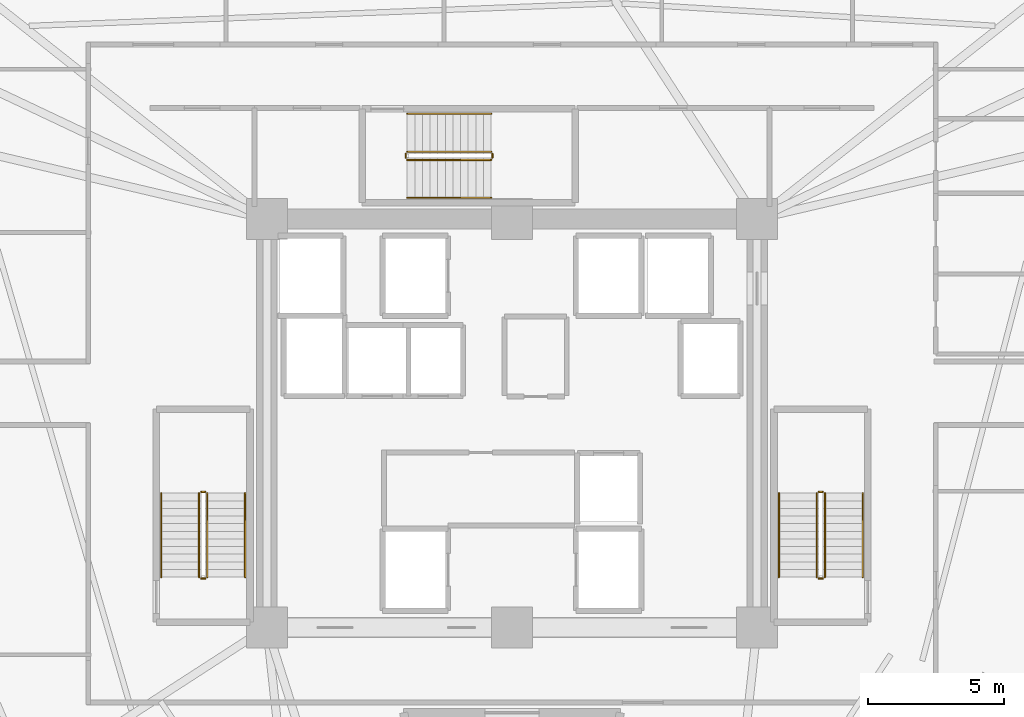
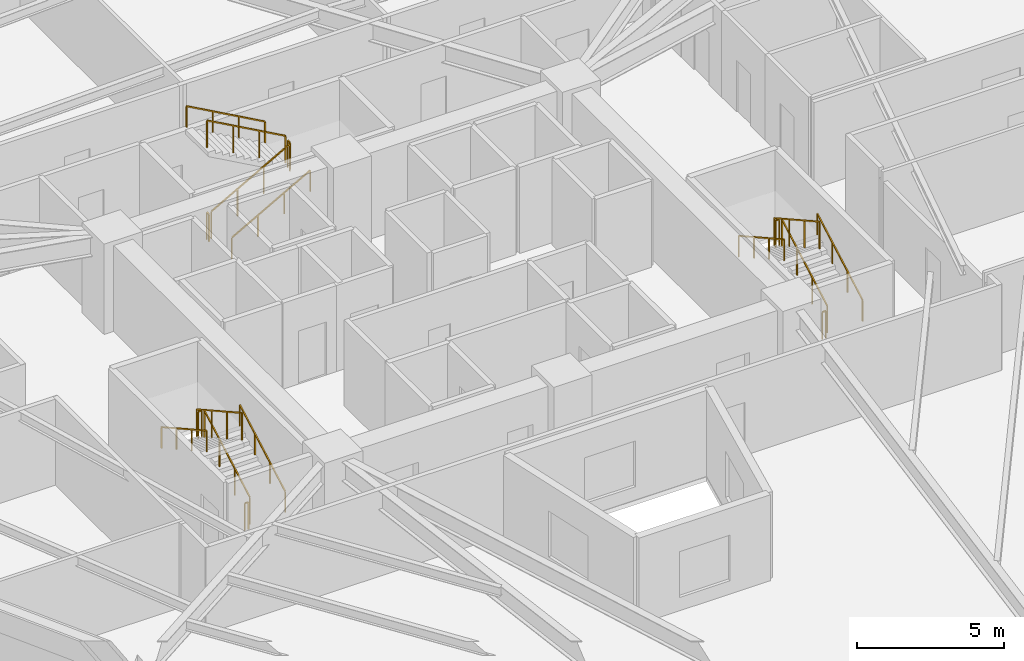
# One storey, part 8 of 8: 18 railings.
"""IFC4 building model written with IfcOpenShell, lengths in metres."""

from ifc_helpers import new_model, si_unit, direction, frame, origin, origin_2d, place, context, subcontext, project, spatial, rectangle, extrude, material, type_object, element, save


model = new_model("IFC4")

# Units and contexts
model_context = context("Model", 3, precision=1e-05, world=origin(), true_north=direction((0.0, 1.0)))
body_context = subcontext(model_context, "Body", "Model", "MODEL_VIEW")
ifc_project = project(units=[si_unit("LENGTHUNIT", "METRE"), si_unit("AREAUNIT", "SQUARE_METRE"), si_unit("VOLUMEUNIT", "CUBIC_METRE"), si_unit("PLANEANGLEUNIT", "RADIAN"), si_unit("MASSUNIT", "GRAM", prefix="KILO")], contexts=[model_context])

# Site, building, storey
site_placement = place(None, origin())
site = spatial("IfcSite", under=ifc_project, at=site_placement, CompositionType="ELEMENT")
building_placement = place(site_placement, origin())
building = spatial("IfcBuilding", under=site, at=building_placement, Name="Liaohun Quay Tower", CompositionType="ELEMENT")
storey_placement = place(building_placement, frame((0.0, 0.0, 159.0)))
storey = spatial("IfcBuildingStorey", under=building, at=storey_placement, Name="L41", CompositionType="ELEMENT", Elevation=159.0)

# Railings
ifc_material_1 = material(Name="Painted tubular steel", Category="steel")
railing_type_1 = type_object("IfcRailingType", Name="RLG-GUARD-STR", PredefinedType="GUARDRAIL", material=ifc_material_1)
railing_1_placement = place(storey_placement, frame((48.81005859375, 48.35009765625, 0.15625)))
element("IfcRailing", 1, at=railing_1_placement, inside=storey, type_object=railing_type_1, Name="L41 ST-1 stair guard 1", PredefinedType="GUARDRAIL", context=body_context, shape_type="SweptSolid", body=[
    extrude(rectangle(XDim=0.048095703125, YDim=0.048095703125, at=origin_2d()), frame((0.0, 0.0, 1.1259765625), z_axis=(0.0, 0.873225103656, 0.487317061414), x_axis=(-1.0, 0.0, 0.0)), (0.0, 0.0, 1.0), 3.52685546875),
    extrude(rectangle(XDim=0.0419921875, YDim=0.0419921875, at=origin_2d()), origin(), (0.0, 0.0, 1.0), 1.101806640625),
    extrude(rectangle(XDim=0.0419921875, YDim=0.0419921875, at=origin_2d()), frame((0.0, 1.026611328125, 0.572998046875)), (0.0, 0.0, 1.0), 1.101806640625),
    extrude(rectangle(XDim=0.0419921875, YDim=0.0419921875, at=origin_2d()), frame((0.0, 2.05322265625, 1.145751953125)), (0.0, 0.0, 1.0), 1.101806640625),
    extrude(rectangle(XDim=0.0419921875, YDim=0.0419921875, at=origin_2d()), frame((0.0, 3.079833984375, 1.71875)), (0.0, 0.0, 1.0), 1.101806640625),
])
railing_2_placement = place(storey_placement, frame((48.72998046875, 51.47998046875, 1.875)))
element("IfcRailing", 2, at=railing_2_placement, inside=storey, type_object=railing_type_1, Name="L41 ST-1 stair guard 2", PredefinedType="GUARDRAIL", context=body_context, shape_type="SweptSolid", body=[
    extrude(rectangle(XDim=0.048095703125, YDim=0.048095703125, at=origin_2d()), frame((0.0, 0.0, 1.1259765625), z_axis=(-1.0, 0.0, 0.0), x_axis=(0.0, -1.0, 0.0)), (0.0, 0.0, 1.0), 0.139892578125),
    extrude(rectangle(XDim=0.0419921875, YDim=0.0419921875, at=origin_2d()), origin(), (0.0, 0.0, 1.0), 1.101806640625),
    extrude(rectangle(XDim=0.0419921875, YDim=0.0419921875, at=origin_2d()), frame((-0.139892578125, 0.0, 0.0)), (0.0, 0.0, 1.0), 1.101806640625),
])
railing_3_placement = place(storey_placement, frame((48.510009765625, 51.429931640625, 2.03125)))
element("IfcRailing", 3, at=railing_3_placement, inside=storey, type_object=railing_type_1, Name="L41 ST-1 stair guard 3", PredefinedType="GUARDRAIL", context=body_context, shape_type="SweptSolid", body=[
    extrude(rectangle(XDim=0.048095703125, YDim=0.048095703125, at=origin_2d()), frame((0.0, 0.0, 1.1259765625), z_axis=(0.0, -0.873225103656, 0.487317061414), x_axis=(1.0, 0.0, 0.0)), (0.0, 0.0, 1.0), 3.52685546875),
    extrude(rectangle(XDim=0.0419921875, YDim=0.0419921875, at=origin_2d()), origin(), (0.0, 0.0, 1.0), 1.101806640625),
    extrude(rectangle(XDim=0.0419921875, YDim=0.0419921875, at=origin_2d()), frame((0.0, -1.026611328125, 0.572998046875)), (0.0, 0.0, 1.0), 1.101806640625),
    extrude(rectangle(XDim=0.0419921875, YDim=0.0419921875, at=origin_2d()), frame((0.0, -2.05322265625, 1.145751953125)), (0.0, 0.0, 1.0), 1.101806640625),
    extrude(rectangle(XDim=0.0419921875, YDim=0.0419921875, at=origin_2d()), frame((0.0, -3.079833984375, 1.71875)), (0.0, 0.0, 1.0), 1.101806640625),
])
railing_4_placement = place(storey_placement, frame((48.72998046875, 48.300048828125, 0.0)))
element("IfcRailing", 4, at=railing_4_placement, inside=storey, type_object=railing_type_1, Name="L41 ST-1 stair guard 4", PredefinedType="GUARDRAIL", context=body_context, shape_type="SweptSolid", body=[
    extrude(rectangle(XDim=0.048095703125, YDim=0.048095703125, at=origin_2d()), frame((0.0, 0.0, 1.1259765625), z_axis=(-1.0, 0.0, 0.0), x_axis=(0.0, -1.0, 0.0)), (0.0, 0.0, 1.0), 0.139892578125),
    extrude(rectangle(XDim=0.0419921875, YDim=0.0419921875, at=origin_2d()), origin(), (0.0, 0.0, 1.0), 1.101806640625),
    extrude(rectangle(XDim=0.0419921875, YDim=0.0419921875, at=origin_2d()), frame((-0.139892578125, 0.0, 0.0)), (0.0, 0.0, 1.0), 1.101806640625),
])
railing_5_placement = place(storey_placement, frame((71.489990234375, 48.35009765625, 0.15625)))
element("IfcRailing", 5, at=railing_5_placement, inside=storey, type_object=railing_type_1, Name="L41 ST-2 stair guard 1", PredefinedType="GUARDRAIL", context=body_context, shape_type="SweptSolid", body=[
    extrude(rectangle(XDim=0.048095703125, YDim=0.048095703125, at=origin_2d()), frame((0.0, 0.0, 1.1259765625), z_axis=(0.0, 0.873225103656, 0.487317061414), x_axis=(-1.0, 0.0, 0.0)), (0.0, 0.0, 1.0), 3.52685546875),
    extrude(rectangle(XDim=0.0419921875, YDim=0.0419921875, at=origin_2d()), origin(), (0.0, 0.0, 1.0), 1.101806640625),
    extrude(rectangle(XDim=0.0419921875, YDim=0.0419921875, at=origin_2d()), frame((0.0, 1.026611328125, 0.572998046875)), (0.0, 0.0, 1.0), 1.101806640625),
    extrude(rectangle(XDim=0.0419921875, YDim=0.0419921875, at=origin_2d()), frame((0.0, 2.05322265625, 1.145751953125)), (0.0, 0.0, 1.0), 1.101806640625),
    extrude(rectangle(XDim=0.0419921875, YDim=0.0419921875, at=origin_2d()), frame((0.0, 3.079833984375, 1.71875)), (0.0, 0.0, 1.0), 1.101806640625),
])
railing_6_placement = place(storey_placement, frame((71.409912109375, 51.47998046875, 1.875)))
element("IfcRailing", 6, at=railing_6_placement, inside=storey, type_object=railing_type_1, Name="L41 ST-2 stair guard 2", PredefinedType="GUARDRAIL", context=body_context, shape_type="SweptSolid", body=[
    extrude(rectangle(XDim=0.048095703125, YDim=0.048095703125, at=origin_2d()), frame((0.0, 0.0, 1.1259765625), z_axis=(-1.0, 0.0, 0.0), x_axis=(0.0, -1.0, 0.0)), (0.0, 0.0, 1.0), 0.139892578125),
    extrude(rectangle(XDim=0.0419921875, YDim=0.0419921875, at=origin_2d()), origin(), (0.0, 0.0, 1.0), 1.101806640625),
    extrude(rectangle(XDim=0.0419921875, YDim=0.0419921875, at=origin_2d()), frame((-0.139892578125, 0.0, 0.0)), (0.0, 0.0, 1.0), 1.101806640625),
])
railing_7_placement = place(storey_placement, frame((71.18994140625, 51.429931640625, 2.03125)))
element("IfcRailing", 7, at=railing_7_placement, inside=storey, type_object=railing_type_1, Name="L41 ST-2 stair guard 3", PredefinedType="GUARDRAIL", context=body_context, shape_type="SweptSolid", body=[
    extrude(rectangle(XDim=0.048095703125, YDim=0.048095703125, at=origin_2d()), frame((0.0, 0.0, 1.1259765625), z_axis=(0.0, -0.873225103656, 0.487317061414), x_axis=(1.0, 0.0, 0.0)), (0.0, 0.0, 1.0), 3.52685546875),
    extrude(rectangle(XDim=0.0419921875, YDim=0.0419921875, at=origin_2d()), origin(), (0.0, 0.0, 1.0), 1.101806640625),
    extrude(rectangle(XDim=0.0419921875, YDim=0.0419921875, at=origin_2d()), frame((0.0, -1.026611328125, 0.572998046875)), (0.0, 0.0, 1.0), 1.101806640625),
    extrude(rectangle(XDim=0.0419921875, YDim=0.0419921875, at=origin_2d()), frame((0.0, -2.05322265625, 1.145751953125)), (0.0, 0.0, 1.0), 1.101806640625),
    extrude(rectangle(XDim=0.0419921875, YDim=0.0419921875, at=origin_2d()), frame((0.0, -3.079833984375, 1.71875)), (0.0, 0.0, 1.0), 1.101806640625),
])
railing_8_placement = place(storey_placement, frame((71.409912109375, 48.300048828125, 0.0)))
element("IfcRailing", 8, at=railing_8_placement, inside=storey, type_object=railing_type_1, Name="L41 ST-2 stair guard 4", PredefinedType="GUARDRAIL", context=body_context, shape_type="SweptSolid", body=[
    extrude(rectangle(XDim=0.048095703125, YDim=0.048095703125, at=origin_2d()), frame((0.0, 0.0, 1.1259765625), z_axis=(-1.0, 0.0, 0.0), x_axis=(0.0, -1.0, 0.0)), (0.0, 0.0, 1.0), 0.139892578125),
    extrude(rectangle(XDim=0.0419921875, YDim=0.0419921875, at=origin_2d()), origin(), (0.0, 0.0, 1.0), 1.101806640625),
    extrude(rectangle(XDim=0.0419921875, YDim=0.0419921875, at=origin_2d()), frame((-0.139892578125, 0.0, 0.0)), (0.0, 0.0, 1.0), 1.101806640625),
])
railing_9_placement = place(storey_placement, frame((56.14990234375, 63.669921875, 0.15625)))
element("IfcRailing", 9, at=railing_9_placement, inside=storey, type_object=railing_type_1, Name="L41 ST-3 stair guard 1", PredefinedType="GUARDRAIL", context=body_context, shape_type="SweptSolid", body=[
    extrude(rectangle(XDim=0.048095703125, YDim=0.048095703125, at=origin_2d()), frame((0.0, 0.0, 1.1259765625), z_axis=(0.873241540666, 0.0, 0.487287606713), x_axis=(0.0, 1.0, 0.0)), (0.0, 0.0, 1.0), 3.527099609375),
    extrude(rectangle(XDim=0.0419921875, YDim=0.0419921875, at=origin_2d()), origin(), (0.0, 0.0, 1.0), 1.101806640625),
    extrude(rectangle(XDim=0.0419921875, YDim=0.0419921875, at=origin_2d()), frame((1.026611328125, 0.0, 0.572998046875)), (0.0, 0.0, 1.0), 1.101806640625),
    extrude(rectangle(XDim=0.0419921875, YDim=0.0419921875, at=origin_2d()), frame((2.053466796875, 0.0, 1.145751953125)), (0.0, 0.0, 1.0), 1.101806640625),
    extrude(rectangle(XDim=0.0419921875, YDim=0.0419921875, at=origin_2d()), frame((3.080078125, 0.0, 1.71875)), (0.0, 0.0, 1.0), 1.101806640625),
])
railing_10_placement = place(storey_placement, frame((59.280029296875, 63.75, 1.875)))
element("IfcRailing", 10, at=railing_10_placement, inside=storey, type_object=railing_type_1, Name="L41 ST-3 stair guard 2", PredefinedType="GUARDRAIL", context=body_context, shape_type="SweptSolid", body=[
    extrude(rectangle(XDim=0.048095703125, YDim=0.048095703125, at=origin_2d()), frame((0.0, 0.0, 1.1259765625), z_axis=(0.0, 1.0, 0.0), x_axis=(-1.0, 0.0, 0.0)), (0.0, 0.0, 1.0), 0.139892578125),
    extrude(rectangle(XDim=0.0419921875, YDim=0.0419921875, at=origin_2d()), origin(), (0.0, 0.0, 1.0), 1.101806640625),
    extrude(rectangle(XDim=0.0419921875, YDim=0.0419921875, at=origin_2d()), frame((0.0, 0.139892578125, 0.0)), (0.0, 0.0, 1.0), 1.101806640625),
])
railing_11_placement = place(storey_placement, frame((59.22998046875, 63.969970703125, 2.03125)))
element("IfcRailing", 11, at=railing_11_placement, inside=storey, type_object=railing_type_1, Name="L41 ST-3 stair guard 3", PredefinedType="GUARDRAIL", context=body_context, shape_type="SweptSolid", body=[
    extrude(rectangle(XDim=0.048095703125, YDim=0.048095703125, at=origin_2d()), frame((0.0, 0.0, 1.1259765625), z_axis=(-0.873241540666, 0.0, 0.487287606713), x_axis=(0.0, -1.0, 0.0)), (0.0, 0.0, 1.0), 3.527099609375),
    extrude(rectangle(XDim=0.0419921875, YDim=0.0419921875, at=origin_2d()), origin(), (0.0, 0.0, 1.0), 1.101806640625),
    extrude(rectangle(XDim=0.0419921875, YDim=0.0419921875, at=origin_2d()), frame((-1.026611328125, 0.0, 0.572998046875)), (0.0, 0.0, 1.0), 1.101806640625),
    extrude(rectangle(XDim=0.0419921875, YDim=0.0419921875, at=origin_2d()), frame((-2.053466796875, 0.0, 1.145751953125)), (0.0, 0.0, 1.0), 1.101806640625),
    extrude(rectangle(XDim=0.0419921875, YDim=0.0419921875, at=origin_2d()), frame((-3.080078125, 0.0, 1.71875)), (0.0, 0.0, 1.0), 1.101806640625),
])
railing_12_placement = place(storey_placement, frame((56.10009765625, 63.75, 0.0)))
element("IfcRailing", 12, at=railing_12_placement, inside=storey, type_object=railing_type_1, Name="L41 ST-3 stair guard 4", PredefinedType="GUARDRAIL", context=body_context, shape_type="SweptSolid", body=[
    extrude(rectangle(XDim=0.048095703125, YDim=0.048095703125, at=origin_2d()), frame((0.0, 0.0, 1.1259765625), z_axis=(0.0, 1.0, 0.0), x_axis=(-1.0, 0.0, 0.0)), (0.0, 0.0, 1.0), 0.139892578125),
    extrude(rectangle(XDim=0.0419921875, YDim=0.0419921875, at=origin_2d()), origin(), (0.0, 0.0, 1.0), 1.101806640625),
    extrude(rectangle(XDim=0.0419921875, YDim=0.0419921875, at=origin_2d()), frame((0.0, 0.139892578125, 0.0)), (0.0, 0.0, 1.0), 1.101806640625),
])
ifc_material_2 = material(Name="Brushed stainless steel", Category="steel")
railing_type_2 = type_object("IfcRailingType", Name="RLG-HND-STR", PredefinedType="HANDRAIL", material=ifc_material_2)
railing_13_placement = place(storey_placement, frame((50.199951171875, 48.35009765625, 0.15625)))
element("IfcRailing", 13, at=railing_13_placement, inside=storey, type_object=railing_type_2, Name="L41 ST-1 stair handrail 1", PredefinedType="HANDRAIL", context=body_context, shape_type="SweptSolid", body=[
    extrude(rectangle(XDim=0.048095703125, YDim=0.048095703125, at=origin_2d()), frame((0.0, 0.0, 0.8759765625), z_axis=(0.0, 0.873225103656, 0.487317061414), x_axis=(-1.0, 0.0, 0.0)), (0.0, 0.0, 1.0), 3.52685546875),
    extrude(rectangle(XDim=0.0419921875, YDim=0.0419921875, at=origin_2d()), origin(), (0.0, 0.0, 1.0), 0.851806640625),
    extrude(rectangle(XDim=0.0419921875, YDim=0.0419921875, at=origin_2d()), frame((0.0, 1.026611328125, 0.572998046875)), (0.0, 0.0, 1.0), 0.851806640625),
    extrude(rectangle(XDim=0.0419921875, YDim=0.0419921875, at=origin_2d()), frame((0.0, 2.05322265625, 1.145751953125)), (0.0, 0.0, 1.0), 0.851806640625),
    extrude(rectangle(XDim=0.0419921875, YDim=0.0419921875, at=origin_2d()), frame((0.0, 3.079833984375, 1.71875)), (0.0, 0.0, 1.0), 0.851806640625),
])
railing_14_placement = place(storey_placement, frame((47.1201171875, 51.429931640625, 2.03125)))
element("IfcRailing", 14, at=railing_14_placement, inside=storey, type_object=railing_type_2, Name="L41 ST-1 stair handrail 2", PredefinedType="HANDRAIL", context=body_context, shape_type="SweptSolid", body=[
    extrude(rectangle(XDim=0.048095703125, YDim=0.048095703125, at=origin_2d()), frame((0.0, 0.0, 0.8759765625), z_axis=(0.0, -0.873225103656, 0.487317061414), x_axis=(1.0, 0.0, 0.0)), (0.0, 0.0, 1.0), 3.52685546875),
    extrude(rectangle(XDim=0.0419921875, YDim=0.0419921875, at=origin_2d()), origin(), (0.0, 0.0, 1.0), 0.851806640625),
    extrude(rectangle(XDim=0.0419921875, YDim=0.0419921875, at=origin_2d()), frame((0.0, -1.026611328125, 0.572998046875)), (0.0, 0.0, 1.0), 0.851806640625),
    extrude(rectangle(XDim=0.0419921875, YDim=0.0419921875, at=origin_2d()), frame((0.0, -2.05322265625, 1.145751953125)), (0.0, 0.0, 1.0), 0.851806640625),
    extrude(rectangle(XDim=0.0419921875, YDim=0.0419921875, at=origin_2d()), frame((0.0, -3.079833984375, 1.71875)), (0.0, 0.0, 1.0), 0.851806640625),
])
railing_15_placement = place(storey_placement, frame((72.8798828125, 48.35009765625, 0.15625)))
element("IfcRailing", 15, at=railing_15_placement, inside=storey, type_object=railing_type_2, Name="L41 ST-2 stair handrail 1", PredefinedType="HANDRAIL", context=body_context, shape_type="SweptSolid", body=[
    extrude(rectangle(XDim=0.048095703125, YDim=0.048095703125, at=origin_2d()), frame((0.0, 0.0, 0.8759765625), z_axis=(0.0, 0.873225103656, 0.487317061414), x_axis=(-1.0, 0.0, 0.0)), (0.0, 0.0, 1.0), 3.52685546875),
    extrude(rectangle(XDim=0.0419921875, YDim=0.0419921875, at=origin_2d()), origin(), (0.0, 0.0, 1.0), 0.851806640625),
    extrude(rectangle(XDim=0.0419921875, YDim=0.0419921875, at=origin_2d()), frame((0.0, 1.026611328125, 0.572998046875)), (0.0, 0.0, 1.0), 0.851806640625),
    extrude(rectangle(XDim=0.0419921875, YDim=0.0419921875, at=origin_2d()), frame((0.0, 2.05322265625, 1.145751953125)), (0.0, 0.0, 1.0), 0.851806640625),
    extrude(rectangle(XDim=0.0419921875, YDim=0.0419921875, at=origin_2d()), frame((0.0, 3.079833984375, 1.71875)), (0.0, 0.0, 1.0), 0.851806640625),
])
railing_16_placement = place(storey_placement, frame((69.800048828125, 51.429931640625, 2.03125)))
element("IfcRailing", 16, at=railing_16_placement, inside=storey, type_object=railing_type_2, Name="L41 ST-2 stair handrail 2", PredefinedType="HANDRAIL", context=body_context, shape_type="SweptSolid", body=[
    extrude(rectangle(XDim=0.048095703125, YDim=0.048095703125, at=origin_2d()), frame((0.0, 0.0, 0.8759765625), z_axis=(0.0, -0.873225103656, 0.487317061414), x_axis=(1.0, 0.0, 0.0)), (0.0, 0.0, 1.0), 3.52685546875),
    extrude(rectangle(XDim=0.0419921875, YDim=0.0419921875, at=origin_2d()), origin(), (0.0, 0.0, 1.0), 0.851806640625),
    extrude(rectangle(XDim=0.0419921875, YDim=0.0419921875, at=origin_2d()), frame((0.0, -1.026611328125, 0.572998046875)), (0.0, 0.0, 1.0), 0.851806640625),
    extrude(rectangle(XDim=0.0419921875, YDim=0.0419921875, at=origin_2d()), frame((0.0, -2.05322265625, 1.145751953125)), (0.0, 0.0, 1.0), 0.851806640625),
    extrude(rectangle(XDim=0.0419921875, YDim=0.0419921875, at=origin_2d()), frame((0.0, -3.079833984375, 1.71875)), (0.0, 0.0, 1.0), 0.851806640625),
])
railing_17_placement = place(storey_placement, frame((56.14990234375, 62.280029296875, 0.15625)))
element("IfcRailing", 17, at=railing_17_placement, inside=storey, type_object=railing_type_2, Name="L41 ST-3 stair handrail 1", PredefinedType="HANDRAIL", context=body_context, shape_type="SweptSolid", body=[
    extrude(rectangle(XDim=0.048095703125, YDim=0.048095703125, at=origin_2d()), frame((0.0, 0.0, 0.8759765625), z_axis=(0.873241540666, 0.0, 0.487287606713), x_axis=(0.0, 1.0, 0.0)), (0.0, 0.0, 1.0), 3.527099609375),
    extrude(rectangle(XDim=0.0419921875, YDim=0.0419921875, at=origin_2d()), origin(), (0.0, 0.0, 1.0), 0.851806640625),
    extrude(rectangle(XDim=0.0419921875, YDim=0.0419921875, at=origin_2d()), frame((1.026611328125, 0.0, 0.572998046875)), (0.0, 0.0, 1.0), 0.851806640625),
    extrude(rectangle(XDim=0.0419921875, YDim=0.0419921875, at=origin_2d()), frame((2.053466796875, 0.0, 1.145751953125)), (0.0, 0.0, 1.0), 0.851806640625),
    extrude(rectangle(XDim=0.0419921875, YDim=0.0419921875, at=origin_2d()), frame((3.080078125, 0.0, 1.71875)), (0.0, 0.0, 1.0), 0.851806640625),
])
railing_18_placement = place(storey_placement, frame((59.22998046875, 65.360107421875, 2.03125)))
element("IfcRailing", 18, at=railing_18_placement, inside=storey, type_object=railing_type_2, Name="L41 ST-3 stair handrail 2", PredefinedType="HANDRAIL", context=body_context, shape_type="SweptSolid", body=[
    extrude(rectangle(XDim=0.048095703125, YDim=0.048095703125, at=origin_2d()), frame((0.0, 0.0, 0.8759765625), z_axis=(-0.873241540666, 0.0, 0.487287606713), x_axis=(0.0, -1.0, 0.0)), (0.0, 0.0, 1.0), 3.527099609375),
    extrude(rectangle(XDim=0.0419921875, YDim=0.0419921875, at=origin_2d()), origin(), (0.0, 0.0, 1.0), 0.851806640625),
    extrude(rectangle(XDim=0.0419921875, YDim=0.0419921875, at=origin_2d()), frame((-1.026611328125, 0.0, 0.572998046875)), (0.0, 0.0, 1.0), 0.851806640625),
    extrude(rectangle(XDim=0.0419921875, YDim=0.0419921875, at=origin_2d()), frame((-2.053466796875, 0.0, 1.145751953125)), (0.0, 0.0, 1.0), 0.851806640625),
    extrude(rectangle(XDim=0.0419921875, YDim=0.0419921875, at=origin_2d()), frame((-3.080078125, 0.0, 1.71875)), (0.0, 0.0, 1.0), 0.851806640625),
])

save(model, "model.ifc")
